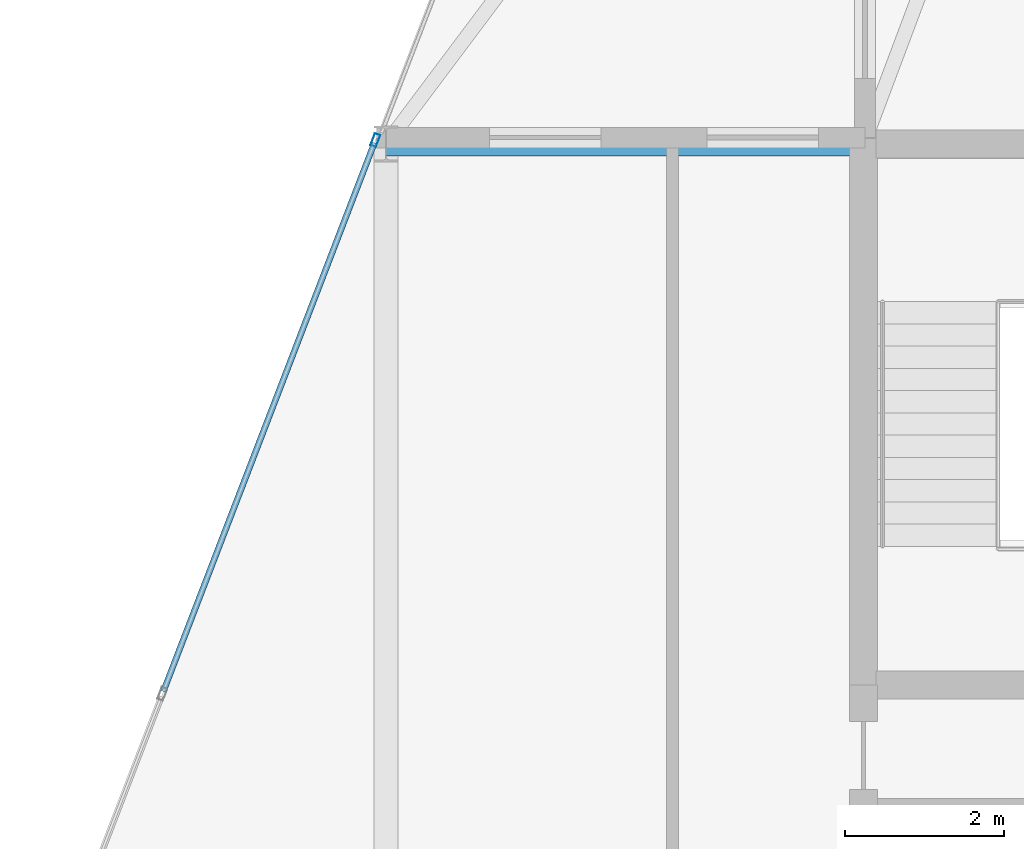
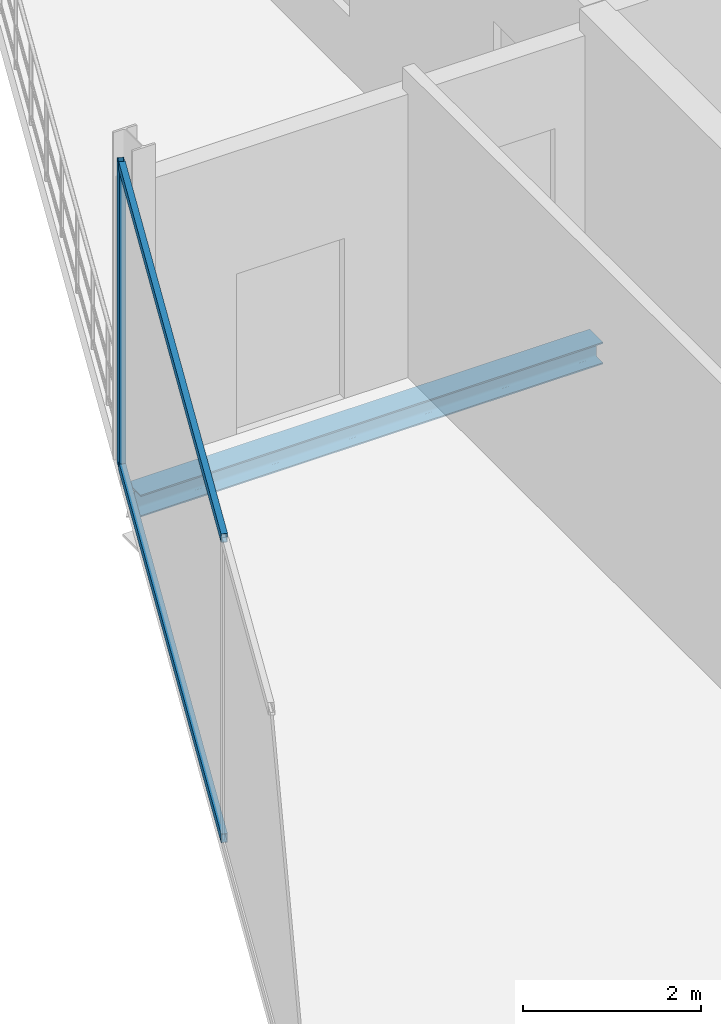
# One storey, part 18 of 31: 3 members, 1 beam, 1 element without a shape of its own.
"""IFC4 building model written with IfcOpenShell, lengths in metres."""

from ifc_helpers import new_model, si_unit, direction, frame, origin, origin_2d, place, context, subcontext, project, spatial, hollow_rectangle, i_section, extrude, material, layer, layer_set, material_profile, profile_set, type_object, element, aggregate, save


model = new_model("IFC4")

# Units and contexts
model_context = context("Model", 3, precision=1e-05, world=origin(), true_north=direction((0.0, 1.0)))
body_context = subcontext(model_context, "Body", "Model", "MODEL_VIEW")
ifc_project = project(units=[si_unit("LENGTHUNIT", "METRE"), si_unit("AREAUNIT", "SQUARE_METRE"), si_unit("VOLUMEUNIT", "CUBIC_METRE"), si_unit("PLANEANGLEUNIT", "RADIAN"), si_unit("MASSUNIT", "GRAM", prefix="KILO")], contexts=[model_context])

# Site, building, storey
site_placement = place(None, origin())
site = spatial("IfcSite", under=ifc_project, at=site_placement, CompositionType="ELEMENT")
building_placement = place(site_placement, origin())
building = spatial("IfcBuilding", under=site, at=building_placement, Name="Keshet Zoharim Tower", CompositionType="ELEMENT")
storey_placement = place(building_placement, frame((0.0, 0.0, 183.89990234375)))
storey = spatial("IfcBuildingStorey", under=building, at=storey_placement, Name="L45", CompositionType="ELEMENT", Elevation=183.89990234375)

# Beam
ifc_material_1 = material(Name="Steel S355", Category="steel")
ifc_material_profile_1 = material_profile(ifc_material_1, i_section(OverallWidth=0.300048828125, OverallDepth=0.300048828125, WebThickness=0.010986328125, FlangeThickness=0.01904296875, FilletRadius=0.027099609375, at=origin_2d()), Name="HEB300")
ifc_profile_set_1 = profile_set([ifc_material_profile_1], Name="Steel S355")
beam_type = type_object("IfcBeamType", Name="BM-PRI-HB300", PredefinedType="BEAM", material=ifc_profile_set_1)
beam_placement = place(storey_placement, frame((9.0, 37.89990234375, -0.469970703125), z_axis=(1.0, 0.0, 0.0), x_axis=(0.0, 1.0, 0.0)))
element("IfcBeam", 1, at=beam_placement, inside=storey, type_object=beam_type, Name="L45 Primary Girder X-017", PredefinedType="BEAM", context=body_context, shape_type="SweptSolid", body=[
    extrude(i_section(OverallWidth=0.300048828125, OverallDepth=0.300048828125, WebThickness=0.010986328125, FlangeThickness=0.01904296875, FilletRadius=0.027099609375, at=origin_2d()), origin(), (0.0, 0.0, 1.0), 6.0),
])

# Curtain wall, members
ifc_material_2 = material(Name="Aluminium 6063-T6", Category="aluminium")
ifc_layer = layer(ifc_material_2, 0.139892578125)
ifc_layer_set = layer_set([ifc_layer], Name="Aluminium 6063-T6")
curtain_wall_type = type_object("IfcCurtainWallType", Name="CW-SYS-05", PredefinedType="NOTDEFINED", material=ifc_layer_set)
curtain_wall_placement = place(storey_placement, origin())
curtain_wall = element("IfcCurtainWall", 2, at=curtain_wall_placement, inside=storey, type_object=curtain_wall_type, Name="L45 Unitised Curtain Wall 18", PredefinedType="NOTDEFINED")
ifc_material_profile_2 = material_profile(ifc_material_2, hollow_rectangle(XDim=0.074951171875, YDim=0.159912109375, WallThickness=0.00390625, at=origin_2d()), Name="MUL-75x160")
ifc_profile_set_2 = profile_set([ifc_material_profile_2], Name="Aluminium 6063-T6")
member_type_1 = type_object("IfcMemberType", Name="CWM-M15", PredefinedType="MULLION", material=ifc_profile_set_2)
member_1_placement = place(storey_placement, frame((8.864501953125, 37.947265625, 0.0), z_axis=(0.0, 0.0, 1.0), x_axis=(-0.933337006853, 0.359001436819, 0.0)))
member_1 = element("IfcMember", 3, at=member_1_placement, type_object=member_type_1, Name="CW-05 mullion 3", PredefinedType="MULLION", context=body_context, shape_type="SweptSolid", body=[
    extrude(hollow_rectangle(XDim=0.074951171875, YDim=0.159912109375, WallThickness=0.00390625, at=origin_2d()), origin(), (0.0, 0.0, 1.0), 4.190185546875),
])
ifc_material_profile_3 = material_profile(ifc_material_2, hollow_rectangle(XDim=0.074951171875, YDim=0.1201171875, WallThickness=0.00390625, at=origin_2d()), Name="TRN-75x120")
ifc_profile_set_3 = profile_set([ifc_material_profile_3], Name="Aluminium 6063-T6")
member_type_2 = type_object("IfcMemberType", Name="CWT-T12", PredefinedType="USERDEFINED", material=ifc_profile_set_3)
member_2_placement = place(storey_placement, frame((6.199462890625, 31.019287109375, 0.03515625), z_axis=(0.359016724725, 0.933331126325, 0.0), x_axis=(-0.933331126325, 0.359016724725, 0.0)))
member_2 = element("IfcMember", 4, at=member_2_placement, type_object=member_type_2, Name="CW-05 transom 2.1", ObjectType="TRANSOM", PredefinedType="USERDEFINED", context=body_context, shape_type="SweptSolid", body=[
    extrude(hollow_rectangle(XDim=0.074951171875, YDim=0.1201171875, WallThickness=0.00390625, at=origin_2d()), origin(), (0.0, 0.0, 1.0), 7.3876953125),
])
member_3_placement = place(storey_placement, frame((6.199462890625, 31.019287109375, 4.155029296875), z_axis=(0.359016724725, 0.933331126325, 0.0), x_axis=(-0.933331126325, 0.359016724725, 0.0)))
member_3 = element("IfcMember", 5, at=member_3_placement, type_object=member_type_2, Name="CW-05 transom 2.2", ObjectType="TRANSOM", PredefinedType="USERDEFINED", context=body_context, shape_type="SweptSolid", body=[
    extrude(hollow_rectangle(XDim=0.074951171875, YDim=0.1201171875, WallThickness=0.00390625, at=origin_2d()), origin(), (0.0, 0.0, 1.0), 7.3876953125),
])
aggregate(curtain_wall, [member_1, member_2, member_3])

save(model, "model.ifc")
